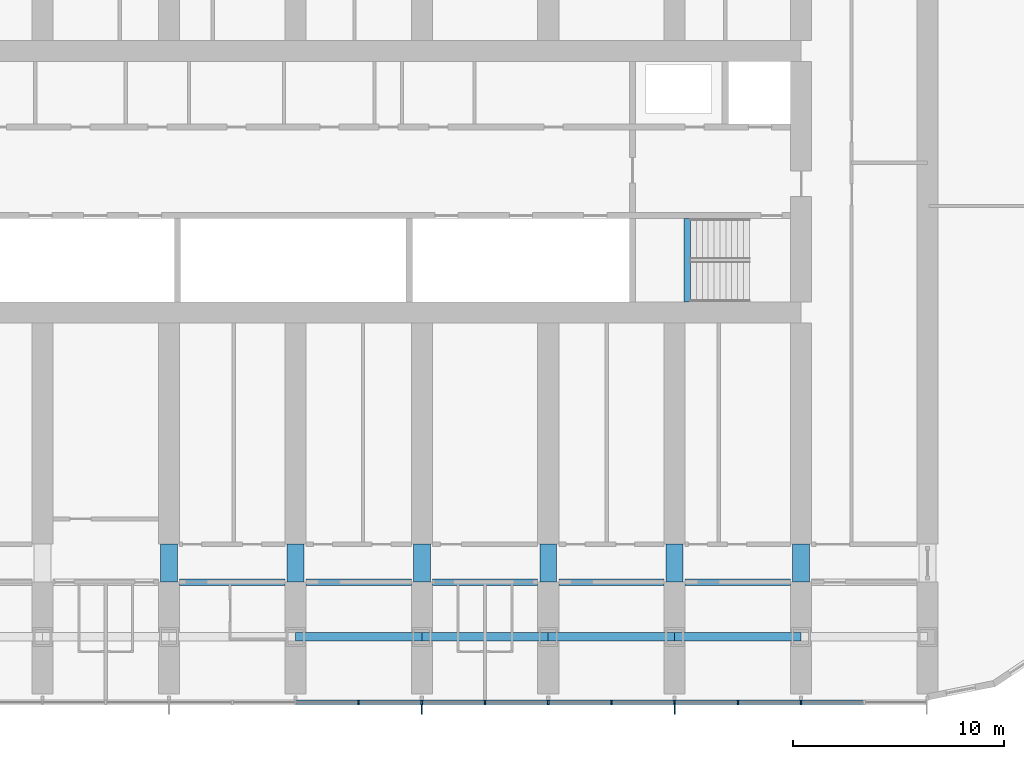
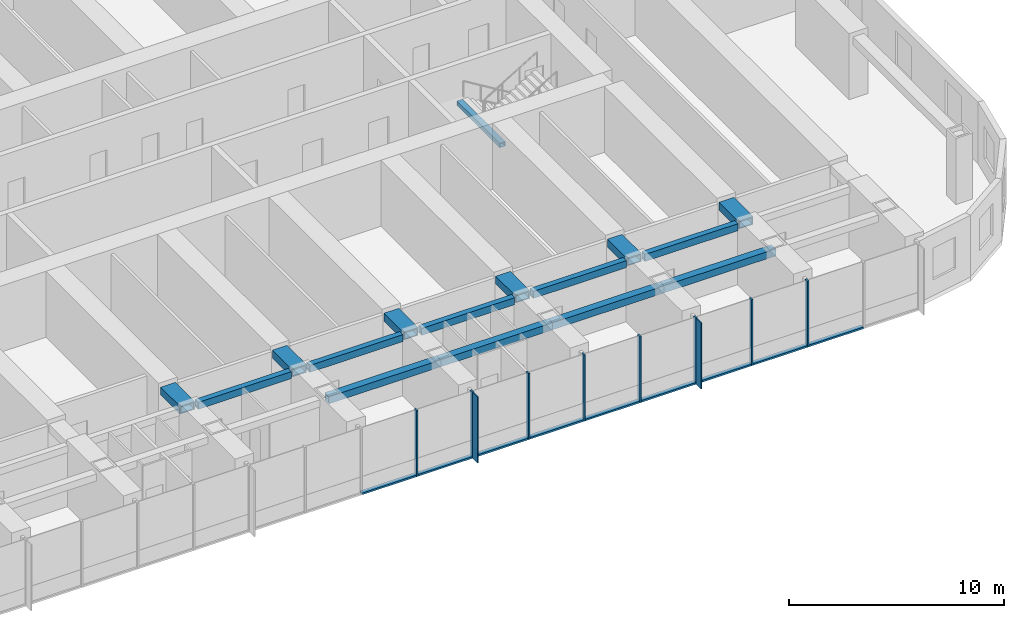
# One storey, part 3 of 22: 19 members, 16 beams, 1 element without a shape of its own.
"""IFC4 building model written with IfcOpenShell, lengths in metres."""

from ifc_helpers import new_model, si_unit, direction, frame, origin, origin_2d, place, context, subcontext, project, spatial, rectangle, hollow_rectangle, extrude, material, material_profile, profile_set, type_object, element, aggregate, save


model = new_model("IFC4")

# Units and contexts
model_context = context("Model", 3, precision=1e-05, world=origin(), true_north=direction((0.0, 1.0)))
body_context = subcontext(model_context, "Body", "Model", "MODEL_VIEW")
ifc_project = project(units=[si_unit("LENGTHUNIT", "METRE"), si_unit("AREAUNIT", "SQUARE_METRE"), si_unit("VOLUMEUNIT", "CUBIC_METRE"), si_unit("PLANEANGLEUNIT", "RADIAN"), si_unit("MASSUNIT", "GRAM", prefix="KILO")], contexts=[model_context])

# Site, building, storey
site_placement = place(None, origin())
site = spatial("IfcSite", under=ifc_project, at=site_placement, CompositionType="ELEMENT")
building_placement = place(site_placement, origin())
building = spatial("IfcBuilding", under=site, at=building_placement, Name="Orbita Commons", CompositionType="ELEMENT")
storey_placement = place(building_placement, frame((0.0, 0.0, 57.699951171875)))
storey = spatial("IfcBuildingStorey", under=building, at=storey_placement, Name="L14", CompositionType="ELEMENT", Elevation=57.699951171875)

# Curtain wall, members
ifc_material_1 = material(Name="Anodised aluminium frame, pale silver", Category="aluminium")
curtain_wall_type = type_object("IfcCurtainWallType", Name="Unitised curtain wall CW-T, vision and spandrel", PredefinedType="NOTDEFINED", material=ifc_material_1)
curtain_wall_placement = place(storey_placement, origin())
curtain_wall = element("IfcCurtainWall", 1, at=curtain_wall_placement, inside=storey, type_object=curtain_wall_type, Name="Curtain wall south L14", PredefinedType="NOTDEFINED")
ifc_material_2 = material(Name="Anodised aluminium, pale silver", Category="aluminium")
ifc_material_profile_1 = material_profile(ifc_material_2, rectangle(XDim=0.080078125, YDim=0.219970703125, at=origin_2d()), Name="AL 80x220")
ifc_profile_set_1 = profile_set([ifc_material_profile_1], Name="Anodised aluminium, pale silver")
member_type_1 = type_object("IfcMemberType", Name="Curtain wall mullion 80x220", PredefinedType="MULLION", material=ifc_profile_set_1)
member_1_placement = place(storey_placement, frame((45.0, 7.2900390625, -0.25), z_axis=(0.0, 0.0, 1.0), x_axis=(1.0, 0.0, 0.0)))
member_1 = element("IfcMember", 2, at=member_1_placement, type_object=member_type_1, Name="Mullion 12 CW-L14-S", PredefinedType="MULLION", context=body_context, shape_type="SweptSolid", body=[
    extrude(rectangle(XDim=0.080078125, YDim=0.219970703125, at=origin_2d()), origin(), (0.0, 0.0, 1.0), 3.75),
])
member_2_placement = place(storey_placement, frame((48.0, 7.2900390625, -0.25), z_axis=(0.0, 0.0, 1.0), x_axis=(1.0, 0.0, 0.0)))
member_2 = element("IfcMember", 3, at=member_2_placement, type_object=member_type_1, Name="Mullion 13 CW-L14-S", PredefinedType="MULLION", context=body_context, shape_type="SweptSolid", body=[
    extrude(rectangle(XDim=0.080078125, YDim=0.219970703125, at=origin_2d()), origin(), (0.0, 0.0, 1.0), 3.75),
])
member_3_placement = place(storey_placement, frame((51.0, 7.2900390625, -0.25), z_axis=(0.0, 0.0, 1.0), x_axis=(1.0, 0.0, 0.0)))
member_3 = element("IfcMember", 4, at=member_3_placement, type_object=member_type_1, Name="Mullion 14 CW-L14-S", PredefinedType="MULLION", context=body_context, shape_type="SweptSolid", body=[
    extrude(rectangle(XDim=0.080078125, YDim=0.219970703125, at=origin_2d()), origin(), (0.0, 0.0, 1.0), 3.75),
])
member_4_placement = place(storey_placement, frame((54.0, 7.2900390625, -0.25), z_axis=(0.0, 0.0, 1.0), x_axis=(1.0, 0.0, 0.0)))
member_4 = element("IfcMember", 5, at=member_4_placement, type_object=member_type_1, Name="Mullion 15 CW-L14-S", PredefinedType="MULLION", context=body_context, shape_type="SweptSolid", body=[
    extrude(rectangle(XDim=0.080078125, YDim=0.219970703125, at=origin_2d()), origin(), (0.0, 0.0, 1.0), 3.75),
])
member_5_placement = place(storey_placement, frame((57.0, 7.2900390625, -0.25), z_axis=(0.0, 0.0, 1.0), x_axis=(1.0, 0.0, 0.0)))
member_5 = element("IfcMember", 6, at=member_5_placement, type_object=member_type_1, Name="Mullion 16 CW-L14-S", PredefinedType="MULLION", context=body_context, shape_type="SweptSolid", body=[
    extrude(rectangle(XDim=0.080078125, YDim=0.219970703125, at=origin_2d()), origin(), (0.0, 0.0, 1.0), 3.75),
])
member_6_placement = place(storey_placement, frame((60.0, 7.2900390625, -0.25), z_axis=(0.0, 0.0, 1.0), x_axis=(1.0, 0.0, 0.0)))
member_6 = element("IfcMember", 7, at=member_6_placement, type_object=member_type_1, Name="Mullion 17 CW-L14-S", PredefinedType="MULLION", context=body_context, shape_type="SweptSolid", body=[
    extrude(rectangle(XDim=0.080078125, YDim=0.219970703125, at=origin_2d()), origin(), (0.0, 0.0, 1.0), 3.75),
])
member_7_placement = place(storey_placement, frame((63.0, 7.2900390625, -0.25), z_axis=(0.0, 0.0, 1.0), x_axis=(1.0, 0.0, 0.0)))
member_7 = element("IfcMember", 8, at=member_7_placement, type_object=member_type_1, Name="Mullion 18 CW-L14-S", PredefinedType="MULLION", context=body_context, shape_type="SweptSolid", body=[
    extrude(rectangle(XDim=0.080078125, YDim=0.219970703125, at=origin_2d()), origin(), (0.0, 0.0, 1.0), 3.75),
])
member_8_placement = place(storey_placement, frame((66.0, 7.2900390625, -0.25), z_axis=(0.0, 0.0, 1.0), x_axis=(1.0, 0.0, 0.0)))
member_8 = element("IfcMember", 9, at=member_8_placement, type_object=member_type_1, Name="Mullion 19 CW-L14-S", PredefinedType="MULLION", context=body_context, shape_type="SweptSolid", body=[
    extrude(rectangle(XDim=0.080078125, YDim=0.219970703125, at=origin_2d()), origin(), (0.0, 0.0, 1.0), 3.75),
])
ifc_material_3 = material(Name="Anodised aluminium, pale silver", Category="aluminium")
ifc_material_profile_2 = material_profile(ifc_material_3, rectangle(XDim=0.219970703125, YDim=0.10009765625, at=origin_2d()), Name="AL 220x100")
ifc_profile_set_2 = profile_set([ifc_material_profile_2], Name="Anodised aluminium, pale silver")
member_type_2 = type_object("IfcMemberType", Name="Curtain wall stack transom 220x100", PredefinedType="USERDEFINED", material=ifc_profile_set_2)
member_9_placement = place(storey_placement, frame((42.0400390625, 7.2900390625, -0.199951171875), z_axis=(1.0, 0.0, 0.0), x_axis=(0.0, 1.0, 0.0)))
member_9 = element("IfcMember", 10, at=member_9_placement, type_object=member_type_2, Name="Transom 11.1 CW-L14-S", ObjectType="TRANSOM", PredefinedType="USERDEFINED", context=body_context, shape_type="SweptSolid", body=[
    extrude(rectangle(XDim=0.219970703125, YDim=0.10009765625, at=origin_2d()), origin(), (0.0, 0.0, 1.0), 2.919921875),
])
member_10_placement = place(storey_placement, frame((45.0400390625, 7.2900390625, -0.199951171875), z_axis=(1.0, 0.0, 0.0), x_axis=(0.0, 1.0, 0.0)))
member_10 = element("IfcMember", 11, at=member_10_placement, type_object=member_type_2, Name="Transom 12.1 CW-L14-S", ObjectType="TRANSOM", PredefinedType="USERDEFINED", context=body_context, shape_type="SweptSolid", body=[
    extrude(rectangle(XDim=0.219970703125, YDim=0.10009765625, at=origin_2d()), origin(), (0.0, 0.0, 1.0), 2.919921875),
])
member_11_placement = place(storey_placement, frame((48.0400390625, 7.2900390625, -0.199951171875), z_axis=(1.0, 0.0, 0.0), x_axis=(0.0, 1.0, 0.0)))
member_11 = element("IfcMember", 12, at=member_11_placement, type_object=member_type_2, Name="Transom 13.1 CW-L14-S", ObjectType="TRANSOM", PredefinedType="USERDEFINED", context=body_context, shape_type="SweptSolid", body=[
    extrude(rectangle(XDim=0.219970703125, YDim=0.10009765625, at=origin_2d()), origin(), (0.0, 0.0, 1.0), 2.919921875),
])
member_12_placement = place(storey_placement, frame((51.0400390625, 7.2900390625, -0.199951171875), z_axis=(1.0, 0.0, 0.0), x_axis=(0.0, 1.0, 0.0)))
member_12 = element("IfcMember", 13, at=member_12_placement, type_object=member_type_2, Name="Transom 14.1 CW-L14-S", ObjectType="TRANSOM", PredefinedType="USERDEFINED", context=body_context, shape_type="SweptSolid", body=[
    extrude(rectangle(XDim=0.219970703125, YDim=0.10009765625, at=origin_2d()), origin(), (0.0, 0.0, 1.0), 2.919921875),
])
member_13_placement = place(storey_placement, frame((54.0400390625, 7.2900390625, -0.199951171875), z_axis=(1.0, 0.0, 0.0), x_axis=(0.0, 1.0, 0.0)))
member_13 = element("IfcMember", 14, at=member_13_placement, type_object=member_type_2, Name="Transom 15.1 CW-L14-S", ObjectType="TRANSOM", PredefinedType="USERDEFINED", context=body_context, shape_type="SweptSolid", body=[
    extrude(rectangle(XDim=0.219970703125, YDim=0.10009765625, at=origin_2d()), origin(), (0.0, 0.0, 1.0), 2.919921875),
])
member_14_placement = place(storey_placement, frame((57.0400390625, 7.2900390625, -0.199951171875), z_axis=(1.0, 0.0, 0.0), x_axis=(0.0, 1.0, 0.0)))
member_14 = element("IfcMember", 15, at=member_14_placement, type_object=member_type_2, Name="Transom 16.1 CW-L14-S", ObjectType="TRANSOM", PredefinedType="USERDEFINED", context=body_context, shape_type="SweptSolid", body=[
    extrude(rectangle(XDim=0.219970703125, YDim=0.10009765625, at=origin_2d()), origin(), (0.0, 0.0, 1.0), 2.919921875),
])
member_15_placement = place(storey_placement, frame((60.0400390625, 7.2900390625, -0.199951171875), z_axis=(1.0, 0.0, 0.0), x_axis=(0.0, 1.0, 0.0)))
member_15 = element("IfcMember", 16, at=member_15_placement, type_object=member_type_2, Name="Transom 17.1 CW-L14-S", ObjectType="TRANSOM", PredefinedType="USERDEFINED", context=body_context, shape_type="SweptSolid", body=[
    extrude(rectangle(XDim=0.219970703125, YDim=0.10009765625, at=origin_2d()), origin(), (0.0, 0.0, 1.0), 2.919921875),
])
member_16_placement = place(storey_placement, frame((63.0400390625, 7.2900390625, -0.199951171875), z_axis=(1.0, 0.0, 0.0), x_axis=(0.0, 1.0, 0.0)))
member_16 = element("IfcMember", 17, at=member_16_placement, type_object=member_type_2, Name="Transom 18.1 CW-L14-S", ObjectType="TRANSOM", PredefinedType="USERDEFINED", context=body_context, shape_type="SweptSolid", body=[
    extrude(rectangle(XDim=0.219970703125, YDim=0.10009765625, at=origin_2d()), origin(), (0.0, 0.0, 1.0), 2.919921875),
])
member_17_placement = place(storey_placement, frame((66.0400390625, 7.2900390625, -0.199951171875), z_axis=(1.0, 0.0, 0.0), x_axis=(0.0, 1.0, 0.0)))
member_17 = element("IfcMember", 18, at=member_17_placement, type_object=member_type_2, Name="Transom 19.1 CW-L14-S", ObjectType="TRANSOM", PredefinedType="USERDEFINED", context=body_context, shape_type="SweptSolid", body=[
    extrude(rectangle(XDim=0.219970703125, YDim=0.10009765625, at=origin_2d()), origin(), (0.0, 0.0, 1.0), 2.919921875),
])

# Beams
ifc_material_4 = material(Name="Steel ASTM A572 Gr 50 welded plate", Category="steel")
ifc_material_profile_3 = material_profile(ifc_material_4, hollow_rectangle(XDim=0.300048828125, YDim=0.25, WallThickness=0.02490234375, at=origin_2d()), Name="BOX 250x300x25")
ifc_profile_set_3 = profile_set([ifc_material_profile_3], Name="Steel ASTM A572 Gr 50 welded plate")
beam_type_1 = type_object("IfcBeamType", Name="Stair landing beam steel BOX 250x300x25", PredefinedType="BEAM", material=ifc_profile_set_3)
beam_placement = place(storey_placement, frame((60.60009765625, 26.284912109375, 1.550048828125), z_axis=(0.0, 1.0, 0.0), x_axis=(-1.0, 0.0, 0.0)))
element("IfcBeam", 19, at=beam_placement, inside=storey, type_object=beam_type_1, Name="Stair S2 landing beam L14 1", PredefinedType="BEAM", context=body_context, shape_type="SweptSolid", body=[
    extrude(hollow_rectangle(XDim=0.300048828125, YDim=0.25, WallThickness=0.02490234375, at=origin_2d()), origin(), (0.0, 0.0, 1.0), 3.97998046875),
])
ifc_material_5 = material(Name="Steel ASTM A572 Gr 50 welded plate", Category="steel")
ifc_material_profile_4 = material_profile(ifc_material_5, hollow_rectangle(XDim=0.300048828125, YDim=0.39990234375, WallThickness=0.0400390625, at=origin_2d()), Name="BOX 400x300x40")
ifc_profile_set_4 = profile_set([ifc_material_profile_4], Name="Steel ASTM A572 Gr 50 welded plate")
beam_type_2 = type_object("IfcBeamType", Name="Steel corridor link BOX 400x300x40", PredefinedType="BEAM", material=ifc_profile_set_4)
for number, where, z_axis, x_axis, name in (
    (20, (36.5, 13.0, 3.300048828125), (1.0, 0.0, 0.0), (0.0, 1.0, 0.0), "Corridor beam SA 7-8 L14"),
    (21, (42.5, 13.0, 3.300048828125), (1.0, 0.0, 0.0), (0.0, 1.0, 0.0), "Corridor beam SA 8-9 L14"),
    (22, (48.5, 13.0, 3.300048828125), (1.0, 0.0, 0.0), (0.0, 1.0, 0.0), "Corridor beam SA 9-10 L14"),
    (23, (54.5, 13.0, 3.300048828125), (1.0, 0.0, 0.0), (0.0, 1.0, 0.0), "Corridor beam SA 10-11 L14"),
    (24, (60.5, 13.0, 3.300048828125), (1.0, 0.0, 0.0), (0.0, 1.0, 0.0), "Corridor beam SA 11-12 L14"),
):
    element("IfcBeam", number, at=place(storey_placement, frame(where, z_axis=z_axis, x_axis=x_axis)), inside=storey, type_object=beam_type_2, Name=name, PredefinedType="BEAM", context=body_context, shape_type="SweptSolid", body=[
        extrude(hollow_rectangle(XDim=0.300048828125, YDim=0.39990234375, WallThickness=0.0400390625, at=origin_2d()), origin(), (0.0, 0.0, 1.0), 5.0),
    ])
ifc_material_6 = material(Name="Steel ASTM A572 Gr 50 welded plate", Category="steel")
ifc_material_profile_5 = material_profile(ifc_material_6, hollow_rectangle(XDim=0.800048828125, YDim=0.449951171875, WallThickness=0.06005859375, at=origin_2d()), Name="BOX 450x800x60")
ifc_profile_set_5 = profile_set([ifc_material_profile_5], Name="Steel ASTM A572 Gr 50 welded plate")
beam_type_3 = type_object("IfcBeamType", Name="Steel coupling link BOX 450x800x60", PredefinedType="LINTEL", material=ifc_profile_set_5)
for number, where, z_axis, x_axis, name in (
    (25, (36.0, 13.0, 3.275146484375), (0.0, 1.0, 0.0), (-1.0, 0.0, 0.0), "Coupling beam 7 south L14"),
    (26, (42.0, 13.0, 3.275146484375), (0.0, 1.0, 0.0), (-1.0, 0.0, 0.0), "Coupling beam 8 south L14"),
    (27, (48.0, 13.0, 3.275146484375), (0.0, 1.0, 0.0), (-1.0, 0.0, 0.0), "Coupling beam 9 south L14"),
    (28, (54.0, 13.0, 3.275146484375), (0.0, 1.0, 0.0), (-1.0, 0.0, 0.0), "Coupling beam 10 south L14"),
    (29, (60.0, 13.0, 3.275146484375), (0.0, 1.0, 0.0), (-1.0, 0.0, 0.0), "Coupling beam 11 south L14"),
    (30, (66.0, 13.0, 3.275146484375), (0.0, 1.0, 0.0), (-1.0, 0.0, 0.0), "Coupling beam 12 south L14"),
):
    element("IfcBeam", number, at=place(storey_placement, frame(where, z_axis=z_axis, x_axis=x_axis)), inside=storey, type_object=beam_type_3, Name=name, PredefinedType="LINTEL", context=body_context, shape_type="SweptSolid", body=[
        extrude(hollow_rectangle(XDim=0.800048828125, YDim=0.449951171875, WallThickness=0.06005859375, at=origin_2d()), origin(), (0.0, 0.0, 1.0), 1.800048828125),
    ])
ifc_material_7 = material(Name="Steel ASTM A572 Gr 50 welded plate", Category="steel")
ifc_material_profile_6 = material_profile(ifc_material_7, hollow_rectangle(XDim=0.39990234375, YDim=0.39990234375, WallThickness=0.0400390625, at=origin_2d()), Name="BOX 400x400x40")
ifc_profile_set_6 = profile_set([ifc_material_profile_6], Name="Steel ASTM A572 Gr 50 welded plate")
beam_type_4 = type_object("IfcBeamType", Name="Steel spandrel BOX 400x400x40", PredefinedType="SPANDREL", material=ifc_profile_set_6)
for number, where, z_axis, x_axis, name in (
    (31, (42.0, 10.39990234375, 3.300048828125), (1.0, 0.0, 0.0), (0.0, 1.0, 0.0), "Spandrel beam B 8-9 L14"),
    (32, (48.0, 10.39990234375, 3.300048828125), (1.0, 0.0, 0.0), (0.0, 1.0, 0.0), "Spandrel beam B 9-10 L14"),
    (33, (54.0, 10.39990234375, 3.300048828125), (1.0, 0.0, 0.0), (0.0, 1.0, 0.0), "Spandrel beam B 10-11 L14"),
    (34, (60.0, 10.39990234375, 3.300048828125), (1.0, 0.0, 0.0), (0.0, 1.0, 0.0), "Spandrel beam B 11-12 L14"),
):
    element("IfcBeam", number, at=place(storey_placement, frame(where, z_axis=z_axis, x_axis=x_axis)), inside=storey, type_object=beam_type_4, Name=name, PredefinedType="SPANDREL", context=body_context, shape_type="SweptSolid", body=[
        extrude(hollow_rectangle(XDim=0.39990234375, YDim=0.39990234375, WallThickness=0.0400390625, at=origin_2d()), origin(), (0.0, 0.0, 1.0), 6.0),
    ])

# Member
ifc_material_8 = material(Name="Anodised aluminium, pale silver", Category="aluminium")
ifc_material_profile_7 = material_profile(ifc_material_8, rectangle(XDim=0.06005859375, YDim=0.449951171875, at=origin_2d()), Name="FIN 60x450")
ifc_profile_set_7 = profile_set([ifc_material_profile_7], Name="Anodised aluminium, pale silver")
member_type_3 = type_object("IfcMemberType", Name="Vertical fin 60x450 pale aluminium", PredefinedType="USERDEFINED", material=ifc_profile_set_7)
member_18_placement = place(storey_placement, frame((48.0, 6.955078125, -0.25), z_axis=(0.0, 0.0, 1.0), x_axis=(1.0, 0.0, 0.0)))
member_18 = element("IfcMember", 35, at=member_18_placement, type_object=member_type_3, Name="Fin 13 CW-L14-S", ObjectType="FIN", PredefinedType="USERDEFINED", context=body_context, shape_type="SweptSolid", body=[
    extrude(rectangle(XDim=0.06005859375, YDim=0.449951171875, at=origin_2d()), origin(), (0.0, 0.0, 1.0), 3.75),
])

member_19_placement = place(storey_placement, frame((60.0, 6.955078125, -0.25), z_axis=(0.0, 0.0, 1.0), x_axis=(1.0, 0.0, 0.0)))
member_19 = element("IfcMember", 36, at=member_19_placement, type_object=member_type_3, Name="Fin 17 CW-L14-S", ObjectType="FIN", PredefinedType="USERDEFINED", context=body_context, shape_type="SweptSolid", body=[
    extrude(rectangle(XDim=0.06005859375, YDim=0.449951171875, at=origin_2d()), origin(), (0.0, 0.0, 1.0), 3.75),
])

aggregate(curtain_wall, [member_1, member_2, member_18, member_3, member_4, member_5, member_6, member_19, member_7, member_8, member_9, member_10, member_11, member_12, member_13, member_14, member_15, member_16, member_17])

save(model, "model.ifc")
